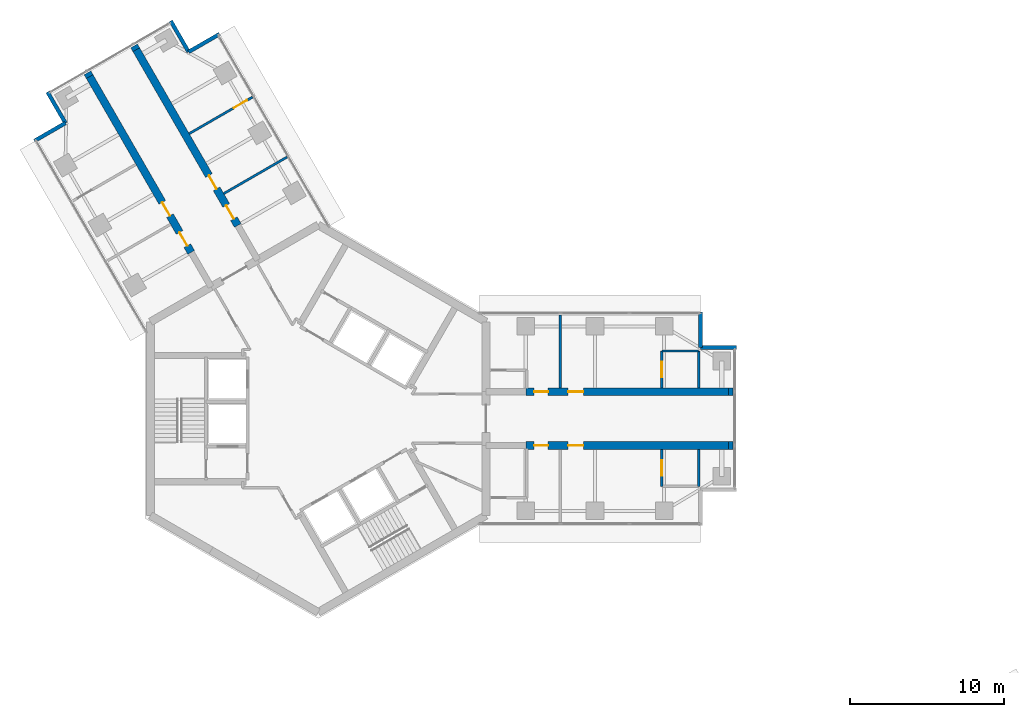
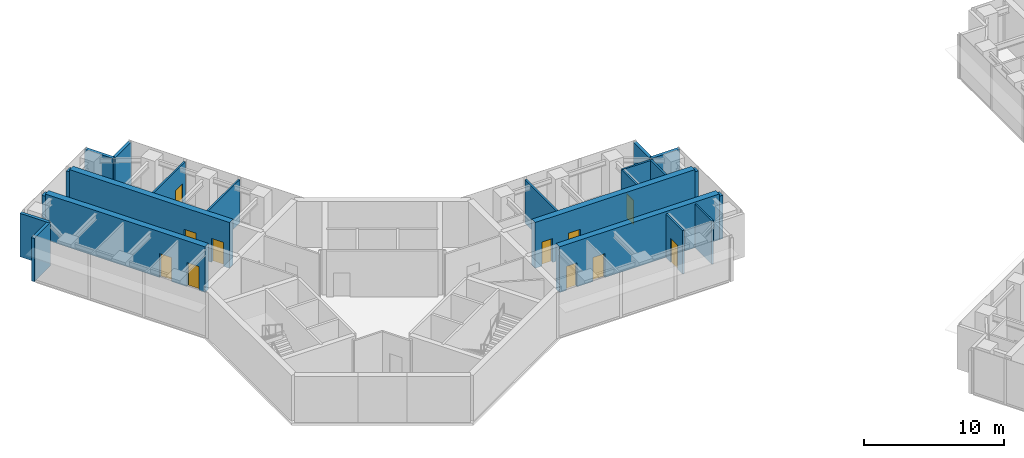
# One storey, part 13 of 17: 22 walls, 11 doors, 11 openings.
"""IFC4 building model written with IfcOpenShell, lengths in metres."""

import ifcopenshell
import ifcopenshell.guid

model = None  # the IFC model being written
_history = None  # IfcOwnerHistory: only IFC2X3 demands one
_inside = {}  # id of a spatial element -> (the spatial element, [elements in it])
_under = {}  # id of a project, library or spatial element -> (it, [spatial elements below it])
_declared = {}  # id of a project -> (the project, [libraries it declares])
_typed = {}  # id of a type object -> (the type object, [elements of that type])
_made_of = {}  # id of a material, layer set ... -> (it, [elements and type objects made of it])


def new_model(schema):
    """Start an empty IFC model of exactly this schema.

    Asked for "IFC4X3", IfcOpenShell would pick the latest addendum, in which some entities
    have other attributes; the version numbers below select the first issue.
    IFC2X3 requires an IfcOwnerHistory on every rooted entity: one is made here for all.
    """
    global model, _history
    if schema == "IFC4X3":
        model = ifcopenshell.file(schema_version=(4, 3, 0, 0))
    else:
        model = ifcopenshell.file(schema=schema)
    _inside.clear()
    _under.clear()
    _declared.clear()
    _typed.clear()
    _made_of.clear()
    _history = None
    if model.schema == "IFC2X3":
        org = make("IfcOrganization", Name="unknown")
        user = make(
            "IfcPersonAndOrganization",
            ThePerson=make("IfcPerson", FamilyName="unknown"),
            TheOrganization=org,
        )
        app = make(
            "IfcApplication",
            ApplicationDeveloper=org,
            Version="unknown",
            ApplicationFullName="unknown",
            ApplicationIdentifier="unknown",
        )
        _history = make(
            "IfcOwnerHistory",
            OwningUser=user,
            OwningApplication=app,
            ChangeAction="ADDED",
            CreationDate=0,
        )
    return model


def make(cls, **values):
    """One entity of the class cls with the attributes given. An attribute that is None is left unset."""
    return model.create_entity(
        cls, **{name: value for name, value in values.items() if value is not None}
    )


def rooted(cls, **values):
    """An entity with a GlobalId (a new one), such as an element, a storey or a relation."""
    return make(cls, GlobalId=ifcopenshell.guid.new(), OwnerHistory=_history, **values)


def si_unit(unit_type, name, prefix=None):
    """IfcSIUnit, for example si_unit("LENGTHUNIT", "METRE", prefix="MILLI")."""
    return make("IfcSIUnit", UnitType=unit_type, Prefix=prefix, Name=name)


def assignment(units):
    """IfcUnitAssignment: the units of a project."""
    return None if units is None else make("IfcUnitAssignment", Units=units)


def point(xyz):
    """IfcCartesianPoint."""
    return None if xyz is None else make("IfcCartesianPoint", Coordinates=xyz)


def direction(xyz):
    """IfcDirection."""
    return None if xyz is None else make("IfcDirection", DirectionRatios=xyz)


def frame(location, z_axis=None, x_axis=None):
    """IfcAxis2Placement3D, a coordinate frame: its origin and axes. An axis left out is left unset."""
    return make(
        "IfcAxis2Placement3D",
        Location=point(location),
        Axis=direction(z_axis),
        RefDirection=direction(x_axis),
    )


def frame_2d(location, x_axis=None):
    """IfcAxis2Placement2D, a coordinate frame in the plane: its origin and x axis."""
    return make(
        "IfcAxis2Placement2D", Location=point(location), RefDirection=direction(x_axis)
    )


def origin():
    """The frame at (0, 0, 0) with its axes left unset."""
    return frame((0.0, 0.0, 0.0))


def place(relative_to, where):
    """IfcLocalPlacement: puts the frame where relative to a parent placement (None: the world)."""
    return make(
        "IfcLocalPlacement", PlacementRelTo=relative_to, RelativePlacement=where
    )


def context(
    kind, dimensions, precision=None, world=None, true_north=None, identifier=None
):
    """IfcGeometricRepresentationContext, for example the 3D "Model" context."""
    return make(
        "IfcGeometricRepresentationContext",
        ContextIdentifier=identifier,
        ContextType=kind,
        CoordinateSpaceDimension=dimensions,
        Precision=precision,
        WorldCoordinateSystem=world,
        TrueNorth=true_north,
    )


def subcontext(parent, identifier, kind, view, scale=None):
    """IfcGeometricRepresentationSubContext, for example "Body" below "Model"."""
    return make(
        "IfcGeometricRepresentationSubContext",
        ContextIdentifier=identifier,
        ContextType=kind,
        ParentContext=parent,
        TargetScale=scale,
        TargetView=view,
    )


def project(units=None, contexts=None):
    """IfcProject with its units and contexts."""
    return rooted(
        "IfcProject",
        Name="project",
        RepresentationContexts=contexts,
        UnitsInContext=assignment(units),
    )


def spatial(cls, under=None, at=None, **own):
    """A site, building, storey or space (cls), placed at a placement, below another one or the project."""
    s = rooted(cls, ObjectPlacement=at, **own)
    if under is not None:
        _under.setdefault(under.id(), (under, []))[1].append(s)
    return s


def profile(cls, at=None, kind="AREA", **sizes):
    """A parametric profile (cls). Its sizes go by their IFC names, for example OverallWidth=200.0."""
    return make(cls, ProfileType=kind, Position=at, **sizes)


def rectangle(**sizes):
    """IfcRectangleProfileDef."""
    return profile("IfcRectangleProfileDef", **sizes)


def extrude(swept, where, along, depth):
    """IfcExtrudedAreaSolid: the profile swept, set in the frame where, extruded along a direction by depth."""
    return make(
        "IfcExtrudedAreaSolid",
        SweptArea=swept,
        Position=where,
        ExtrudedDirection=direction(along),
        Depth=depth,
    )


def shape(context_of_items, identifier, shape_type, items):
    """IfcShapeRepresentation: the items that make up one representation, for example the "Body"."""
    return make(
        "IfcShapeRepresentation",
        ContextOfItems=context_of_items,
        RepresentationIdentifier=identifier,
        RepresentationType=shape_type,
        Items=items,
    )


def material(Name=None, Category=None):
    """IfcMaterial."""
    return make("IfcMaterial", Name=Name, Category=Category)


def layer(
    of_material, thickness, ventilated=None, Name=None, Category=None, Priority=None
):
    """IfcMaterialLayer: one layer of a wall or slab, of a material (None: an air gap)."""
    return make(
        "IfcMaterialLayer",
        Material=of_material,
        LayerThickness=thickness,
        IsVentilated=ventilated,
        Name=Name,
        Category=Category,
        Priority=Priority,
    )


def layer_set(layers, Name=None):
    """IfcMaterialLayerSet."""
    return make("IfcMaterialLayerSet", MaterialLayers=layers, LayerSetName=Name)


def made_of(thing, what):
    """Note that an element or type object is made of a material, layer set ...; save() writes the relation."""
    if what is not None:
        _made_of.setdefault(what.id(), (what, []))[1].append(thing)
    return thing


def type_object(cls, material=None, **own):
    """A type object (cls), such as IfcWallType, which elements share."""
    return made_of(rooted(cls, **own), material)


def element(
    cls,
    number,
    at=None,
    inside=None,
    cuts=None,
    type_object=None,
    material=None,
    context=None,
    identifier="Body",
    shape_type=None,
    held_by="IfcProductDefinitionShape",
    body=None,
    shapes=None,
    **own,
):
    """One element of the class cls, such as IfcWall. Its Tag is "e" and its number.

    at: its placement. inside: the storey or other place that contains it. cuts: it is an
    opening in that element (IfcRelVoidsElement). A single representation is given by context,
    identifier, shape_type and body (its items); several are given by shapes. held_by: the class
    of the entity that holds the representations. save() writes the other relations.
    """
    e = rooted(cls, Tag="e%d" % number, ObjectPlacement=at, **own)
    if body is not None:
        shapes = [shape(context, identifier, shape_type, body)]
    if shapes is not None:
        e.Representation = make(held_by, Representations=shapes)
    if inside is not None:
        _inside.setdefault(inside.id(), (inside, []))[1].append(e)
    if cuts is not None:
        rooted(
            "IfcRelVoidsElement", RelatingBuildingElement=cuts, RelatedOpeningElement=e
        )
    if type_object is not None:
        _typed.setdefault(type_object.id(), (type_object, []))[1].append(e)
    return made_of(e, material)


def fill(opening, filler):
    """IfcRelFillsElement: the door or window that sits in an opening."""
    return rooted(
        "IfcRelFillsElement",
        RelatingOpeningElement=opening,
        RelatedBuildingElement=filler,
    )


def aggregate(whole, parts):
    """IfcRelAggregates: a whole, such as a stair, and the parts it consists of."""
    return rooted("IfcRelAggregates", RelatingObject=whole, RelatedObjects=parts)


def save(model, path):
    """Write the relations noted so far, then the file.

    IfcRelAggregates (storeys below a building ...), IfcRelContainedInSpatialStructure (elements
    in a storey), IfcRelDefinesByType, IfcRelAssociatesMaterial and IfcRelDeclares: one each for
    every whole, place, type object, material and project.
    """
    for whole, parts in _under.values():
        aggregate(whole, parts)
    for where, things in _inside.values():
        rooted(
            "IfcRelContainedInSpatialStructure",
            RelatedElements=things,
            RelatingStructure=where,
        )
    for kind, things in _typed.values():
        rooted("IfcRelDefinesByType", RelatedObjects=things, RelatingType=kind)
    for what, things in _made_of.values():
        rooted("IfcRelAssociatesMaterial", RelatedObjects=things, RelatingMaterial=what)
    for by, libraries in _declared.values():
        rooted("IfcRelDeclares", RelatingContext=by, RelatedDefinitions=libraries)
    model.write(path)


model = new_model("IFC4")

# Units and contexts
model_context = context("Model", 3, precision=1e-05, world=origin(), true_north=direction((0.0, 1.0)))
body_context = subcontext(model_context, "Body", "Model", "MODEL_VIEW")
ifc_project = project(units=[si_unit("LENGTHUNIT", "METRE"), si_unit("AREAUNIT", "SQUARE_METRE"), si_unit("VOLUMEUNIT", "CUBIC_METRE"), si_unit("PLANEANGLEUNIT", "RADIAN"), si_unit("MASSUNIT", "GRAM", prefix="KILO")], contexts=[model_context])

# Site, building, storey
site_placement = place(None, origin())
site = spatial("IfcSite", under=ifc_project, at=site_placement, CompositionType="ELEMENT")
building_placement = place(site_placement, origin())
building = spatial("IfcBuilding", under=site, at=building_placement, Name="Upepo Twin Towers", CompositionType="ELEMENT")
storey_placement = place(building_placement, frame((0.0, 0.0, 202.5)))
storey = spatial("IfcBuildingStorey", under=building, at=storey_placement, Name="L49", CompositionType="ELEMENT", Elevation=202.5)

# Walls
ifc_material_1 = material(Name="Dense concrete blockwork", Category="masonry")
ifc_layer_1 = layer(ifc_material_1, 0.5)
ifc_layer_set_1 = layer_set([ifc_layer_1], Name="Buttress closer 500, blockwork with fire-stopping to the curtain wall")
wall_type_1 = type_object("IfcWallType", Name="Buttress closer 500, blockwork with fire-stopping to the curtain wall", PredefinedType="PARTITIONING", material=ifc_layer_set_1)
for number, where, z_axis, x_axis, name in (
    (1, (26.699951171875, 1.75, 0.0), (0.0, 0.0, 1.0), (1.0, 0.0, 0.0), "T1 L49 wing A buttress closer L"),
    (2, (26.699951171875, -1.75, 0.0), (0.0, 0.0, 1.0), (1.0, 0.0, 0.0), "T1 L49 wing A buttress closer R"),
    (3, (-14.865478515625, 22.247802734375, 0.0), (0.0, 0.0, 1.0), (-0.500065409566, 0.86598763626, 0.0), "T1 L49 wing B buttress closer L"),
    (4, (-11.83447265625, 23.997802734375, 0.0), (0.0, 0.0, 1.0), (-0.500065409566, 0.86598763626, 0.0), "T1 L49 wing B buttress closer R"),
):
    element("IfcWall", number, at=place(storey_placement, frame(where, z_axis=z_axis, x_axis=x_axis)), inside=storey, type_object=wall_type_1, Name=name, PredefinedType="PARTITIONING", context=body_context, shape_type="SweptSolid", body=[
        extrude(rectangle(XDim=0.28759765625, YDim=0.5, at=frame_2d((0.143798828125, 0.0))), origin(), (0.0, 0.0, 1.0), 3.800048828125),
    ])

# Wall, openings, doors
ifc_material_2 = material(Name="Concrete C60/75", Category="concrete")
ifc_layer_2 = layer(ifc_material_2, 0.5)
ifc_layer_set_2 = layer_set([ifc_layer_2], Name="Concrete C60/75")
wall_type_2 = type_object("IfcWallType", Name="Buttress wall 500 RC", PredefinedType="SHEAR", material=ifc_layer_set_2)
wall_1_placement = place(storey_placement, frame((13.5, 1.75, 0.0), z_axis=(0.0, 0.0, 1.0), x_axis=(1.0, 0.0, 0.0)))
wall_1 = element("IfcWall", 5, at=wall_1_placement, inside=storey, type_object=wall_type_2, Name="T1 wing A buttress wall L part 2", PredefinedType="SHEAR", context=body_context, shape_type="SweptSolid", body=[
    extrude(rectangle(XDim=13.199951171875, YDim=0.5, at=frame_2d((6.60009765625, 0.0))), origin(), (0.0, 0.0, 1.0), 4.0),
])
opening_1_placement = place(wall_1_placement, frame((0.550048828125, 0.0, 0.0)))
opening_1 = element("IfcOpeningElement", 6, at=opening_1_placement, cuts=wall_1, Name="Opening D11", PredefinedType="OPENING", context=body_context, shape_type="SweptSolid", body=[
    extrude(rectangle(XDim=0.89990234375, YDim=2.10009765625, at=frame_2d((0.449951171875, 1.050048828125))), frame((0.0, 0.260009765625, 0.0), z_axis=(0.0, -1.0, 0.0), x_axis=(1.0, 0.0, 0.0)), (0.0, 0.0, 1.0), 0.52001953125),
])
opening_2_placement = place(wall_1_placement, frame((2.75, 0.0, 0.0)))
opening_2 = element("IfcOpeningElement", 7, at=opening_2_placement, cuts=wall_1, Name="Opening D1", PredefinedType="OPENING", context=body_context, shape_type="SweptSolid", body=[
    extrude(rectangle(XDim=1.0, YDim=2.10009765625, at=frame_2d((0.5, 1.050048828125))), frame((0.0, 0.260009765625, 0.0), z_axis=(0.0, -1.0, 0.0), x_axis=(1.0, 0.0, 0.0)), (0.0, 0.0, 1.0), 0.52001953125),
])
ifc_material_3 = material(Name="Timber doorset", Category="wood")
door_type_1 = type_object("IfcDoorType", Name="Room door 1000 FD30", OperationType="SINGLE_SWING_LEFT", PredefinedType="DOOR", material=ifc_material_3)
door_1_placement = place(opening_2_placement, origin())
door_1 = element("IfcDoor", 8, at=door_1_placement, inside=storey, type_object=door_type_1, Name="T1 L49 engineering studio door", OperationType="SINGLE_SWING_LEFT", OverallHeight=2.10009765625, OverallWidth=1.0, PredefinedType="DOOR", context=body_context, shape_type="SweptSolid", body=[
    extrude(rectangle(XDim=1.0, YDim=2.10009765625, at=frame_2d((0.5, 1.050048828125))), frame((0.0, 0.02490234375, 0.0), z_axis=(0.0, -1.0, 0.0), x_axis=(1.0, 0.0, 0.0)), (0.0, 0.0, 1.0), 0.050048828125),
])
fill(opening_2, door_1)
ifc_material_4 = material(Name="Timber doorset", Category="wood")
door_type_2 = type_object("IfcDoorType", Name="Toilet door 900", OperationType="SINGLE_SWING_LEFT", PredefinedType="DOOR", material=ifc_material_4)
door_2_placement = place(opening_1_placement, origin())
door_2 = element("IfcDoor", 9, at=door_2_placement, inside=storey, type_object=door_type_2, Name="T1 L49 toilets door", OperationType="SINGLE_SWING_LEFT", OverallHeight=2.10009765625, OverallWidth=0.89990234375, PredefinedType="DOOR", context=body_context, shape_type="SweptSolid", body=[
    extrude(rectangle(XDim=0.89990234375, YDim=2.10009765625, at=frame_2d((0.449951171875, 1.050048828125))), frame((0.0, 0.02490234375, 0.0), z_axis=(0.0, -1.0, 0.0), x_axis=(1.0, 0.0, 0.0)), (0.0, 0.0, 1.0), 0.050048828125),
])
fill(opening_1, door_2)

wall_2_placement = place(storey_placement, frame((13.5, -1.75, 0.0), z_axis=(0.0, 0.0, 1.0), x_axis=(1.0, 0.0, 0.0)))
wall_2 = element("IfcWall", 10, at=wall_2_placement, inside=storey, type_object=wall_type_2, Name="T1 wing A buttress wall R part 2", PredefinedType="SHEAR", context=body_context, shape_type="SweptSolid", body=[
    extrude(rectangle(XDim=13.199951171875, YDim=0.5, at=frame_2d((6.60009765625, 0.0))), origin(), (0.0, 0.0, 1.0), 4.0),
])
opening_3_placement = place(wall_2_placement, frame((0.550048828125, 0.0, 0.0)))
opening_3 = element("IfcOpeningElement", 11, at=opening_3_placement, cuts=wall_2, Name="Opening D11", PredefinedType="OPENING", context=body_context, shape_type="SweptSolid", body=[
    extrude(rectangle(XDim=0.89990234375, YDim=2.10009765625, at=frame_2d((0.449951171875, 1.050048828125))), frame((0.0, 0.260009765625, 0.0), z_axis=(0.0, -1.0, 0.0), x_axis=(1.0, 0.0, 0.0)), (0.0, 0.0, 1.0), 0.52001953125),
])
opening_4_placement = place(wall_2_placement, frame((2.75, 0.0, 0.0)))
opening_4 = element("IfcOpeningElement", 12, at=opening_4_placement, cuts=wall_2, Name="Opening D1", PredefinedType="OPENING", context=body_context, shape_type="SweptSolid", body=[
    extrude(rectangle(XDim=1.0, YDim=2.10009765625, at=frame_2d((0.5, 1.050048828125))), frame((0.0, 0.260009765625, 0.0), z_axis=(0.0, -1.0, 0.0), x_axis=(1.0, 0.0, 0.0)), (0.0, 0.0, 1.0), 0.52001953125),
])
door_3_placement = place(opening_4_placement, origin())
door_3 = element("IfcDoor", 13, at=door_3_placement, inside=storey, type_object=door_type_1, Name="T1 L49 engineering studio door", OperationType="SINGLE_SWING_LEFT", OverallHeight=2.10009765625, OverallWidth=1.0, PredefinedType="DOOR", context=body_context, shape_type="SweptSolid", body=[
    extrude(rectangle(XDim=1.0, YDim=2.10009765625, at=frame_2d((0.5, 1.050048828125))), frame((0.0, 0.02490234375, 0.0), z_axis=(0.0, -1.0, 0.0), x_axis=(1.0, 0.0, 0.0)), (0.0, 0.0, 1.0), 0.050048828125),
])
fill(opening_4, door_3)
door_4_placement = place(opening_3_placement, origin())
door_4 = element("IfcDoor", 14, at=door_4_placement, inside=storey, type_object=door_type_2, Name="T1 L49 accessible wc door", OperationType="SINGLE_SWING_LEFT", OverallHeight=2.10009765625, OverallWidth=0.89990234375, PredefinedType="DOOR", context=body_context, shape_type="SweptSolid", body=[
    extrude(rectangle(XDim=0.89990234375, YDim=2.10009765625, at=frame_2d((0.449951171875, 1.050048828125))), frame((0.0, 0.02490234375, 0.0), z_axis=(0.0, -1.0, 0.0), x_axis=(1.0, 0.0, 0.0)), (0.0, 0.0, 1.0), 0.050048828125),
])
fill(opening_3, door_4)

wall_3_placement = place(storey_placement, frame((-8.265625, 10.81640625, 0.0), z_axis=(0.0, 0.0, 1.0), x_axis=(-0.499996231654, 0.866027579429, 0.0)))
wall_3 = element("IfcWall", 15, at=wall_3_placement, inside=storey, type_object=wall_type_2, Name="T1 wing B buttress wall L part 2", PredefinedType="SHEAR", context=body_context, shape_type="SweptSolid", body=[
    extrude(rectangle(XDim=13.19970703125, YDim=0.5, at=frame_2d((6.599853515625, 0.0))), origin(), (0.0, 0.0, 1.0), 4.0),
])
opening_5_placement = place(wall_3_placement, frame((0.5, 0.0, 0.0)))
opening_5 = element("IfcOpeningElement", 16, at=opening_5_placement, cuts=wall_3, Name="Opening D1", PredefinedType="OPENING", context=body_context, shape_type="SweptSolid", body=[
    extrude(rectangle(XDim=1.0, YDim=2.10009765625, at=frame_2d((0.5, 1.050048828125))), frame((0.0, 0.260009765625, 0.0), z_axis=(0.0, -1.0, 0.0), x_axis=(1.0, 0.0, 0.0)), (0.0, 0.0, 1.0), 0.52001953125),
])
opening_6_placement = place(wall_3_placement, frame((2.75, 0.0, 0.0)))
opening_6 = element("IfcOpeningElement", 17, at=opening_6_placement, cuts=wall_3, Name="Opening D1", PredefinedType="OPENING", context=body_context, shape_type="SweptSolid", body=[
    extrude(rectangle(XDim=1.0, YDim=2.10009765625, at=frame_2d((0.5, 1.050048828125))), frame((0.0, 0.260009765625, 0.0), z_axis=(0.0, -1.0, 0.0), x_axis=(1.0, 0.0, 0.0)), (0.0, 0.0, 1.0), 0.52001953125),
])
door_5_placement = place(opening_5_placement, origin())
door_5 = element("IfcDoor", 18, at=door_5_placement, inside=storey, type_object=door_type_1, Name="T1 L49 seminar room door", OperationType="SINGLE_SWING_LEFT", OverallHeight=2.10009765625, OverallWidth=1.0, PredefinedType="DOOR", context=body_context, shape_type="SweptSolid", body=[
    extrude(rectangle(XDim=1.0, YDim=2.10009765625, at=frame_2d((0.5, 1.050048828125))), frame((0.0, 0.02490234375, 0.0), z_axis=(0.0, -1.0, 0.0), x_axis=(1.0, 0.0, 0.0)), (0.0, 0.0, 1.0), 0.050048828125),
])
fill(opening_5, door_5)
door_6_placement = place(opening_6_placement, origin())
door_6 = element("IfcDoor", 19, at=door_6_placement, inside=storey, type_object=door_type_1, Name="T1 L49 staff office door", OperationType="SINGLE_SWING_LEFT", OverallHeight=2.10009765625, OverallWidth=1.0, PredefinedType="DOOR", context=body_context, shape_type="SweptSolid", body=[
    extrude(rectangle(XDim=1.0, YDim=2.10009765625, at=frame_2d((0.5, 1.050048828125))), frame((0.0, 0.02490234375, 0.0), z_axis=(0.0, -1.0, 0.0), x_axis=(1.0, 0.0, 0.0)), (0.0, 0.0, 1.0), 0.050048828125),
])
fill(opening_6, door_6)

wall_4_placement = place(storey_placement, frame((-5.234375, 12.56640625, 0.0), z_axis=(0.0, 0.0, 1.0), x_axis=(-0.500010103361, 0.866019570528, 0.0)))
wall_4 = element("IfcWall", 20, at=wall_4_placement, inside=storey, type_object=wall_type_2, Name="T1 wing B buttress wall R part 2", PredefinedType="SHEAR", context=body_context, shape_type="SweptSolid", body=[
    extrude(rectangle(XDim=13.199951171875, YDim=0.5, at=frame_2d((6.60009765625, 0.0))), origin(), (0.0, 0.0, 1.0), 4.0),
])
opening_7_placement = place(wall_4_placement, frame((0.5, 0.0, 0.0)))
opening_7 = element("IfcOpeningElement", 21, at=opening_7_placement, cuts=wall_4, Name="Opening D1", PredefinedType="OPENING", context=body_context, shape_type="SweptSolid", body=[
    extrude(rectangle(XDim=1.0, YDim=2.10009765625, at=frame_2d((0.5, 1.050048828125))), frame((0.0, 0.260009765625, 0.0), z_axis=(0.0, -1.0, 0.0), x_axis=(1.0, 0.0, 0.0)), (0.0, 0.0, 1.0), 0.52001953125),
])
opening_8_placement = place(wall_4_placement, frame((2.75, 0.0, 0.0)))
opening_8 = element("IfcOpeningElement", 22, at=opening_8_placement, cuts=wall_4, Name="Opening D1", PredefinedType="OPENING", context=body_context, shape_type="SweptSolid", body=[
    extrude(rectangle(XDim=1.0, YDim=2.10009765625, at=frame_2d((0.5, 1.050048828125))), frame((0.0, 0.260009765625, 0.0), z_axis=(0.0, -1.0, 0.0), x_axis=(1.0, 0.0, 0.0)), (0.0, 0.0, 1.0), 0.52001953125),
])
door_7_placement = place(opening_7_placement, origin())
door_7 = element("IfcDoor", 23, at=door_7_placement, inside=storey, type_object=door_type_1, Name="T1 L49 computing laboratory door", OperationType="SINGLE_SWING_LEFT", OverallHeight=2.10009765625, OverallWidth=1.0, PredefinedType="DOOR", context=body_context, shape_type="SweptSolid", body=[
    extrude(rectangle(XDim=1.0, YDim=2.10009765625, at=frame_2d((0.5, 1.050048828125))), frame((0.0, 0.02490234375, 0.0), z_axis=(0.0, -1.0, 0.0), x_axis=(1.0, 0.0, 0.0)), (0.0, 0.0, 1.0), 0.050048828125),
])
fill(opening_7, door_7)
door_8_placement = place(opening_8_placement, origin())
door_8 = element("IfcDoor", 24, at=door_8_placement, inside=storey, type_object=door_type_1, Name="T1 L49 seminar room door", OperationType="SINGLE_SWING_LEFT", OverallHeight=2.10009765625, OverallWidth=1.0, PredefinedType="DOOR", context=body_context, shape_type="SweptSolid", body=[
    extrude(rectangle(XDim=1.0, YDim=2.10009765625, at=frame_2d((0.5, 1.050048828125))), frame((0.0, 0.02490234375, 0.0), z_axis=(0.0, -1.0, 0.0), x_axis=(1.0, 0.0, 0.0)), (0.0, 0.0, 1.0), 0.050048828125),
])
fill(opening_8, door_8)

# Walls
ifc_material_5 = material(Name="Blockwork with anodised aluminium cladding", Category="masonry")
ifc_layer_3 = layer(ifc_material_5, 0.25)
ifc_layer_set_3 = layer_set([ifc_layer_3], Name="Notch cladding wall 250, pale metal")
wall_type_3 = type_object("IfcWallType", Name="Notch cladding wall 250, pale metal", PredefinedType="STANDARD", material=ifc_layer_set_3)
for number, where, z_axis, x_axis, name in (
    (25, (24.875, 6.949951171875, 0.0), (0.0, 0.0, 1.0), (0.0, -1.0, 0.0), "T1 L49 wing A notch wall L1"),
    (26, (24.875, 4.625, 0.0), (0.0, 0.0, 1.0), (1.0, 0.0, 0.0), "T1 L49 wing A notch wall L2"),
    (27, (-18.456298828125, 18.0673828125, 0.0), (0.0, 0.0, 1.0), (0.865998469481, 0.500046648681, 0.0), "T1 L49 wing B notch wall L1"),
    (28, (-16.44287109375, 19.22998046875, 0.0), (0.0, 0.0, 1.0), (-0.500046648681, 0.865998469481, 0.0), "T1 L49 wing B notch wall L2"),
    (29, (-6.418701171875, 25.017333984375, 0.0), (0.0, 0.0, 1.0), (-0.866043940782, -0.499967891604, 0.0), "T1 L49 wing B notch wall R1"),
    (30, (-8.43212890625, 23.85498046875, 0.0), (0.0, 0.0, 1.0), (-0.500046648681, 0.865998469481, 0.0), "T1 L49 wing B notch wall R2"),
):
    element("IfcWall", number, at=place(storey_placement, frame(where, z_axis=z_axis, x_axis=x_axis)), inside=storey, type_object=wall_type_3, Name=name, PredefinedType="STANDARD", context=body_context, shape_type="SweptSolid", body=[
        extrude(rectangle(XDim=2.324951171875, YDim=0.25, at=frame_2d((1.16259765625, 0.0))), origin(), (0.0, 0.0, 1.0), 3.800048828125),
    ])
ifc_material_6 = material(Name="Gypsum board on steel studs", Category="steel")
ifc_layer_4 = layer(ifc_material_6, 0.14990234375)
ifc_layer_set_4 = layer_set([ifc_layer_4], Name="Teaching partition 150 acoustic")
wall_type_4 = type_object("IfcWallType", Name="Teaching partition 150 acoustic", PredefinedType="PARTITIONING", material=ifc_layer_set_4)
wall_5_placement = place(storey_placement, frame((15.75, 2.0, 0.0), z_axis=(0.0, 0.0, 1.0), x_axis=(0.0, 1.0, 0.0)))
element("IfcWall", 31, at=wall_5_placement, inside=storey, type_object=wall_type_4, Name="T1 partition AL at 15.75", PredefinedType="PARTITIONING", context=body_context, shape_type="SweptSolid", body=[
    extrude(rectangle(XDim=4.75, YDim=0.14990234375, at=frame_2d((2.375, 0.0))), origin(), (0.0, 0.0, 1.0), 3.800048828125),
])
wall_6_placement = place(storey_placement, frame((22.35009765625, 4.39990234375, 0.0), z_axis=(0.0, 0.0, 1.0), x_axis=(1.0, 0.0, 0.0)))
element("IfcWall", 32, at=wall_6_placement, inside=storey, type_object=wall_type_4, Name="T1 inner room partition AL at 22.35", PredefinedType="PARTITIONING", context=body_context, shape_type="SweptSolid", body=[
    extrude(rectangle(XDim=2.39990234375, YDim=0.14990234375, at=frame_2d((1.199951171875, 0.0))), origin(), (0.0, 0.0, 1.0), 3.800048828125),
])

# Wall, opening, door
wall_7_placement = place(storey_placement, frame((22.35009765625, 2.0, 0.0), z_axis=(0.0, 0.0, 1.0), x_axis=(0.0, 1.0, 0.0)))
wall_7 = element("IfcWall", 33, at=wall_7_placement, inside=storey, type_object=wall_type_4, Name="T1 inner room partition AL end at 22.35", PredefinedType="PARTITIONING", context=body_context, shape_type="SweptSolid", body=[
    extrude(rectangle(XDim=2.39990234375, YDim=0.14990234375, at=frame_2d((1.199951171875, 0.0))), origin(), (0.0, 0.0, 1.0), 3.800048828125),
])
opening_9_placement = place(wall_7_placement, frame((0.699951171875, 0.0, 0.0)))
opening_9 = element("IfcOpeningElement", 34, at=opening_9_placement, cuts=wall_7, Name="Opening D1", PredefinedType="OPENING", context=body_context, shape_type="SweptSolid", body=[
    extrude(rectangle(XDim=1.0, YDim=2.10009765625, at=frame_2d((0.5, 1.050048828125))), frame((0.0, 0.0849609375, 0.0), z_axis=(0.0, -1.0, 0.0), x_axis=(1.0, 0.0, 0.0)), (0.0, 0.0, 1.0), 0.169921875),
])
door_9_placement = place(opening_9_placement, origin())
door_9 = element("IfcDoor", 35, at=door_9_placement, inside=storey, type_object=door_type_1, Name="T1 L49 inner room door", OperationType="SINGLE_SWING_LEFT", OverallHeight=2.10009765625, OverallWidth=1.0, PredefinedType="DOOR", context=body_context, shape_type="SweptSolid", body=[
    extrude(rectangle(XDim=1.0, YDim=2.10009765625, at=frame_2d((0.5, 1.050048828125))), frame((0.0, 0.02490234375, 0.0), z_axis=(0.0, -1.0, 0.0), x_axis=(1.0, 0.0, 0.0)), (0.0, 0.0, 1.0), 0.050048828125),
])
fill(opening_9, door_9)

# Wall
wall_8_placement = place(storey_placement, frame((24.75, 2.0, 0.0), z_axis=(0.0, 0.0, 1.0), x_axis=(0.0, 1.0, 0.0)))
element("IfcWall", 36, at=wall_8_placement, inside=storey, type_object=wall_type_4, Name="T1 inner room partition AL end at 24.75", PredefinedType="PARTITIONING", context=body_context, shape_type="SweptSolid", body=[
    extrude(rectangle(XDim=2.39990234375, YDim=0.14990234375, at=frame_2d((1.199951171875, 0.0))), origin(), (0.0, 0.0, 1.0), 3.800048828125),
])

# Wall, opening, door
wall_9_placement = place(storey_placement, frame((22.35009765625, -2.0, 0.0), z_axis=(0.0, 0.0, 1.0), x_axis=(0.0, -1.0, 0.0)))
wall_9 = element("IfcWall", 37, at=wall_9_placement, inside=storey, type_object=wall_type_4, Name="T1 inner room partition AR end at 22.35", PredefinedType="PARTITIONING", context=body_context, shape_type="SweptSolid", body=[
    extrude(rectangle(XDim=2.39990234375, YDim=0.14990234375, at=frame_2d((1.199951171875, 0.0))), origin(), (0.0, 0.0, 1.0), 3.800048828125),
])
opening_10_placement = place(wall_9_placement, frame((0.699951171875, 0.0, 0.0)))
opening_10 = element("IfcOpeningElement", 38, at=opening_10_placement, cuts=wall_9, Name="Opening D1", PredefinedType="OPENING", context=body_context, shape_type="SweptSolid", body=[
    extrude(rectangle(XDim=1.0, YDim=2.10009765625, at=frame_2d((0.5, 1.050048828125))), frame((0.0, 0.0849609375, 0.0), z_axis=(0.0, -1.0, 0.0), x_axis=(1.0, 0.0, 0.0)), (0.0, 0.0, 1.0), 0.169921875),
])
door_10_placement = place(opening_10_placement, origin())
door_10 = element("IfcDoor", 39, at=door_10_placement, inside=storey, type_object=door_type_1, Name="T1 L49 inner room door", OperationType="SINGLE_SWING_LEFT", OverallHeight=2.10009765625, OverallWidth=1.0, PredefinedType="DOOR", context=body_context, shape_type="SweptSolid", body=[
    extrude(rectangle(XDim=1.0, YDim=2.10009765625, at=frame_2d((0.5, 1.050048828125))), frame((0.0, 0.02490234375, 0.0), z_axis=(0.0, -1.0, 0.0), x_axis=(1.0, 0.0, 0.0)), (0.0, 0.0, 1.0), 0.050048828125),
])
fill(opening_10, door_10)

# Walls
wall_10_placement = place(storey_placement, frame((24.75, -2.0, 0.0), z_axis=(0.0, 0.0, 1.0), x_axis=(0.0, -1.0, 0.0)))
element("IfcWall", 40, at=wall_10_placement, inside=storey, type_object=wall_type_4, Name="T1 inner room partition AR end at 24.75", PredefinedType="PARTITIONING", context=body_context, shape_type="SweptSolid", body=[
    extrude(rectangle(XDim=2.39990234375, YDim=0.14990234375, at=frame_2d((1.199951171875, 0.0))), origin(), (0.0, 0.0, 1.0), 3.800048828125),
])
wall_11_placement = place(storey_placement, frame((-6.14306640625, 14.639892578125, 0.0), z_axis=(0.0, 0.0, 1.0), x_axis=(0.866033238375, 0.499986429846, 0.0)))
element("IfcWall", 41, at=wall_11_placement, inside=storey, type_object=wall_type_4, Name="T1 partition BR at 15.75", PredefinedType="PARTITIONING", context=body_context, shape_type="SweptSolid", body=[
    extrude(rectangle(XDim=4.750244140625, YDim=0.14990234375, at=frame_2d((2.375, 0.0))), origin(), (0.0, 0.0, 1.0), 3.800048828125),
])

# Wall, opening, door
wall_12_placement = place(storey_placement, frame((-8.39306640625, 18.537109375, 0.0), z_axis=(0.0, 0.0, 1.0), x_axis=(0.866033238375, 0.499986429846, 0.0)))
wall_12 = element("IfcWall", 42, at=wall_12_placement, inside=storey, type_object=wall_type_4, Name="T1 partition BR at 20.25", PredefinedType="PARTITIONING", context=body_context, shape_type="SweptSolid", body=[
    extrude(rectangle(XDim=4.750244140625, YDim=0.14990234375, at=frame_2d((2.375, 0.0))), origin(), (0.0, 0.0, 1.0), 3.800048828125),
])
opening_11_placement = place(wall_12_placement, frame((3.35009765625, 0.0, 0.0)))
opening_11 = element("IfcOpeningElement", 43, at=opening_11_placement, cuts=wall_12, Name="Opening D1", PredefinedType="OPENING", context=body_context, shape_type="SweptSolid", body=[
    extrude(rectangle(XDim=1.0, YDim=2.10009765625, at=frame_2d((0.5, 1.050048828125))), frame((0.0, 0.0849609375, 0.0), z_axis=(0.0, -1.0, 0.0), x_axis=(1.0, 0.0, 0.0)), (0.0, 0.0, 1.0), 0.169921875),
])
door_11_placement = place(opening_11_placement, origin())
door_11 = element("IfcDoor", 44, at=door_11_placement, inside=storey, type_object=door_type_1, Name="T1 L49 connecting door", OperationType="SINGLE_SWING_RIGHT", OverallHeight=2.10009765625, OverallWidth=1.0, PredefinedType="DOOR", context=body_context, shape_type="SweptSolid", body=[
    extrude(rectangle(XDim=1.0, YDim=2.10009765625, at=frame_2d((0.5, 1.050048828125))), frame((0.0, 0.02490234375, 0.0), z_axis=(0.0, -1.0, 0.0), x_axis=(1.0, 0.0, 0.0)), (0.0, 0.0, 1.0), 0.050048828125),
])
fill(opening_11, door_11)

save(model, "model.ifc")
